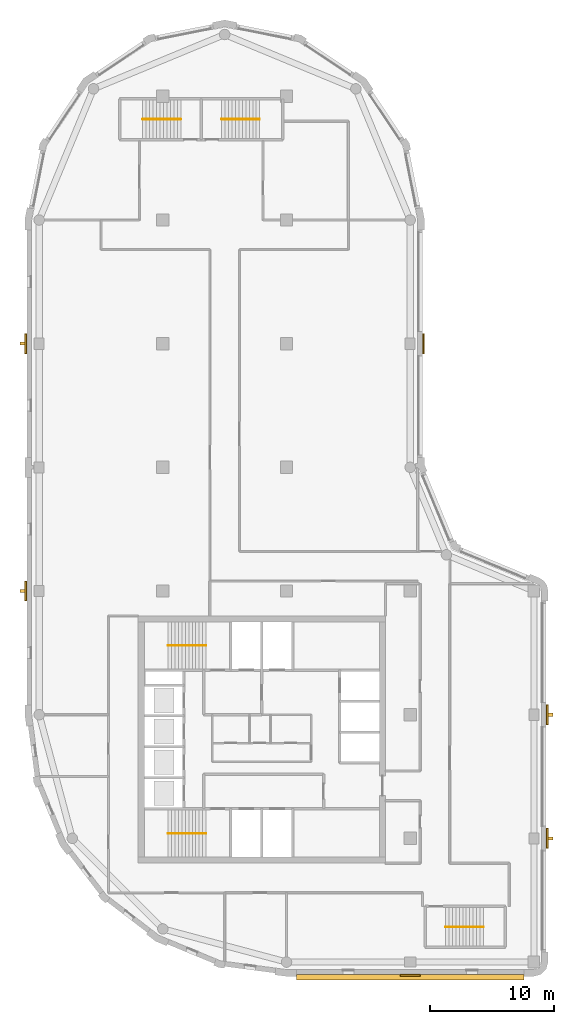
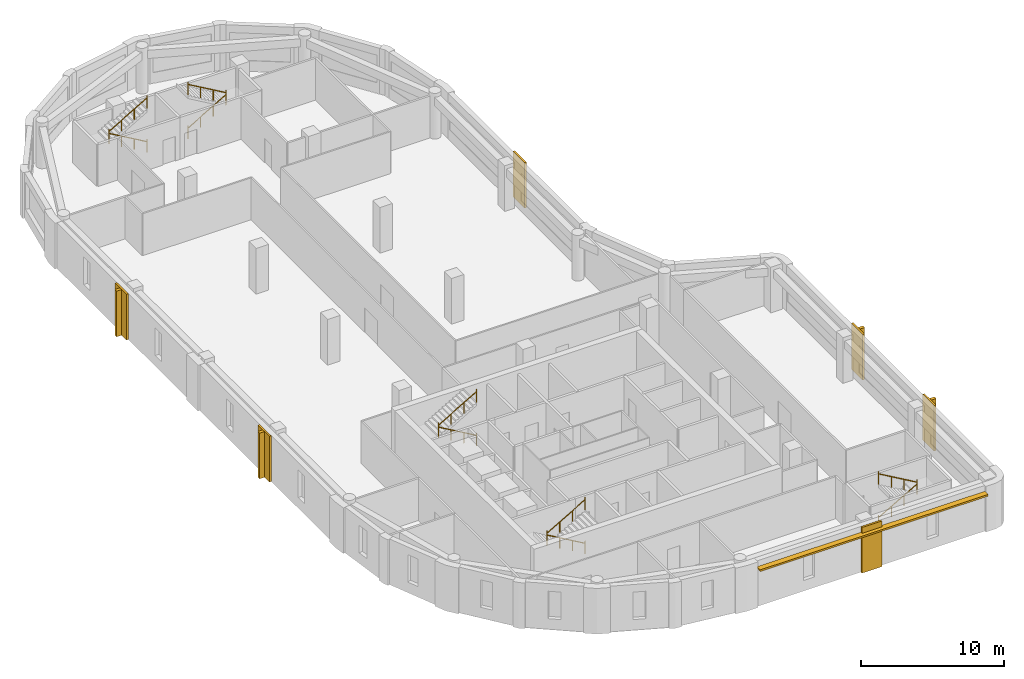
# One storey, part 7 of 8: 10 railings, 6 coverings, 5 shading devices.
"""IFC4 building model written with IfcOpenShell, lengths in metres."""

from ifc_helpers import new_model, si_unit, direction, frame, origin, origin_2d, place, context, subcontext, project, spatial, polyline, rectangle, circle, outline, extrude, material, layer, layer_set, type_object, element, save


model = new_model("IFC4")

# Units and contexts
model_context = context("Model", 3, precision=1e-05, world=origin(), true_north=direction((0.0, 1.0)))
body_context = subcontext(model_context, "Body", "Model", "MODEL_VIEW")
ifc_project = project(units=[si_unit("LENGTHUNIT", "METRE"), si_unit("AREAUNIT", "SQUARE_METRE"), si_unit("VOLUMEUNIT", "CUBIC_METRE"), si_unit("PLANEANGLEUNIT", "RADIAN"), si_unit("MASSUNIT", "GRAM", prefix="KILO")], contexts=[model_context])

# Site, building, storey
site_placement = place(None, origin())
site = spatial("IfcSite", under=ifc_project, at=site_placement, CompositionType="ELEMENT")
building_placement = place(site_placement, origin())
building = spatial("IfcBuilding", under=site, at=building_placement, Name="Qaws Garden Tower", CompositionType="ELEMENT")
storey_placement = place(building_placement, frame((0.0, 0.0, 286.5)))
storey = spatial("IfcBuildingStorey", under=building, at=storey_placement, Name="L69", CompositionType="ELEMENT", Elevation=286.5)

# Coverings
ifc_material_1 = material(Name="Clay facing brick masonry", Category="masonry")
ifc_layer_1 = layer(ifc_material_1, 0.14990234375)
ifc_layer_set_1 = layer_set([ifc_layer_1], Name="Clay facing brick masonry")
covering_type = type_object("IfcCoveringType", Name="Brick pilaster facing 150 x 1600", PredefinedType="CLADDING", material=ifc_layer_set_1)
placement = place(storey_placement, origin())
element("IfcCovering", 1, at=placement, inside=storey, type_object=covering_type, Name="E-L69-pier-01", PredefinedType="CLADDING", context=body_context, shape_type="SweptSolid", body=[
    extrude(outline(polyline([(29.199951171875, -1.0), (30.800048828125, -1.0), (30.800048828125, -1.14990234375), (29.199951171875, -1.14990234375), (29.199951171875, -1.0)])), origin(), (0.0, 0.0, 1.0), 3.89990234375),
])
element("IfcCovering", 2, at=placement, inside=storey, type_object=covering_type, Name="E-L69-pier-03", PredefinedType="CLADDING", context=body_context, shape_type="SweptSolid", body=[
    extrude(outline(polyline([(41.0, 9.199951171875), (41.0, 10.800048828125), (41.14990234375, 10.800048828125), (41.14990234375, 9.199951171875), (41.0, 9.199951171875)])), origin(), (0.0, 0.0, 1.0), 3.89990234375),
])
element("IfcCovering", 3, at=placement, inside=storey, type_object=covering_type, Name="E-L69-pier-04", PredefinedType="CLADDING", context=body_context, shape_type="SweptSolid", body=[
    extrude(outline(polyline([(41.0, 19.199951171875), (41.0, 20.800048828125), (41.14990234375, 20.800048828125), (41.14990234375, 19.199951171875), (41.0, 19.199951171875)])), origin(), (0.0, 0.0, 1.0), 3.89990234375),
])
element("IfcCovering", 4, at=placement, inside=storey, type_object=covering_type, Name="E-L69-pier-08", PredefinedType="CLADDING", context=body_context, shape_type="SweptSolid", body=[
    extrude(outline(polyline([(31.0, 49.199951171875), (31.0, 50.800048828125), (31.14990234375, 50.800048828125), (31.14990234375, 49.199951171875), (31.0, 49.199951171875)])), origin(), (0.0, 0.0, 1.0), 3.89990234375),
])
element("IfcCovering", 5, at=placement, inside=storey, type_object=covering_type, Name="E-L69-pier-18", PredefinedType="CLADDING", context=body_context, shape_type="SweptSolid", body=[
    extrude(outline(polyline([(-1.0, 50.800048828125), (-1.0, 49.199951171875), (-1.14990234375, 49.199951171875), (-1.14990234375, 50.800048828125), (-1.0, 50.800048828125)])), origin(), (0.0, 0.0, 1.0), 3.89990234375),
])
element("IfcCovering", 6, at=placement, inside=storey, type_object=covering_type, Name="E-L69-pier-20", PredefinedType="CLADDING", context=body_context, shape_type="SweptSolid", body=[
    extrude(outline(polyline([(-1.0, 30.800048828125), (-1.0, 29.199951171875), (-1.14990234375, 29.199951171875), (-1.14990234375, 30.800048828125), (-1.0, 30.800048828125)])), origin(), (0.0, 0.0, 1.0), 3.89990234375),
])

# Shading devices
ifc_material_2 = material(Name="Clay facing brick masonry", Category="masonry")
ifc_layer_2 = layer(ifc_material_2, 0.14990234375)
ifc_layer_set_2 = layer_set([ifc_layer_2], Name="Clay facing brick masonry")
shading_device_type_1 = type_object("IfcShadingDeviceType", Name="Brick sunshade band 450 x 150", PredefinedType="JALOUSIE", material=ifc_layer_set_2)
shading_device_placement = place(storey_placement, frame((0.0, 0.0, 3.25)))
element("IfcShadingDevice", 7, at=shading_device_placement, inside=storey, type_object=shading_device_type_1, Name="SUNSHADE 00", PredefinedType="JALOUSIE", context=body_context, shape_type="SweptSolid", body=[
    extrude(outline(polyline([(20.800048828125, -1.0), (20.800048828125, -1.449951171875), (39.199951171875, -1.449951171875), (39.199951171875, -1.0), (30.800048828125, -1.0), (30.800048828125, -1.14990234375), (29.199951171875, -1.14990234375), (29.199951171875, -1.0), (20.800048828125, -1.0)])), origin(), (0.0, 0.0, 1.0), 0.14990234375),
])
ifc_material_3 = material(Name="Clay facing brick masonry", Category="masonry")
ifc_layer_3 = layer(ifc_material_3, 0.25)
ifc_layer_set_3 = layer_set([ifc_layer_3], Name="Clay facing brick masonry")
shading_device_type_2 = type_object("IfcShadingDeviceType", Name="Brick-faced fin 250 x 400", PredefinedType="USERDEFINED", material=ifc_layer_set_3)
for number, where, z_axis, x_axis, name in (
    (8, (41.35009765625, 10.0, 0.0), (0.0, 0.0, 1.0), (0.0, 1.0, 0.0), "FIN 03"),
    (9, (41.35009765625, 20.0, 0.0), (0.0, 0.0, 1.0), (0.0, 1.0, 0.0), "FIN 04"),
    (10, (-1.35009765625, 50.0, 0.0), (0.0, 0.0, 1.0), (0.0, -1.0, 0.0), "FIN 18"),
    (11, (-1.35009765625, 30.0, 0.0), (0.0, 0.0, 1.0), (0.0, -1.0, 0.0), "FIN 20"),
):
    element("IfcShadingDevice", number, at=place(storey_placement, frame(where, z_axis=z_axis, x_axis=x_axis)), inside=storey, type_object=shading_device_type_2, Name=name, ObjectType="FIN", PredefinedType="USERDEFINED", context=body_context, shape_type="SweptSolid", body=[
        extrude(rectangle(XDim=0.25, YDim=0.39990234375, at=origin_2d()), origin(), (0.0, 0.0, 1.0), 3.89990234375),
    ])

# Railings
ifc_material_4 = material(Name="Steel S355", Category="steel")
railing_type = type_object("IfcRailingType", Name="Stair handrail 900", PredefinedType="HANDRAIL", material=ifc_material_4)
railing_1_placement = place(storey_placement, frame((13.5, 10.39990234375, 0.16259765625)))
element("IfcRailing", 12, at=railing_1_placement, inside=storey, type_object=railing_type, Name="Stair 1 handrail", PredefinedType="HANDRAIL", context=body_context, shape_type="SweptSolid", body=[
    extrude(circle(Radius=0.02392578125, at=origin_2d()), frame((0.0, 0.0, 0.8759765625), z_axis=(-0.864920483161, 0.0, 0.501908913857), x_axis=(0.0, -1.0, 0.0)), (0.0, 0.0, 1.0), 3.56103515625),
    extrude(circle(Radius=0.02099609375, at=origin_2d()), origin(), (0.0, 0.0, 1.0), 1.06201171875),
    extrude(circle(Radius=0.02099609375, at=origin_2d()), frame((-1.026611328125, 0.0, 0.595703125)), (0.0, 0.0, 1.0), 0.851806640625),
    extrude(circle(Radius=0.02099609375, at=origin_2d()), frame((-2.053466796875, 0.0, 1.191650390625)), (0.0, 0.0, 1.0), 0.851806640625),
    extrude(circle(Radius=0.02099609375, at=origin_2d()), frame((-3.080078125, 0.0, 1.787353515625)), (0.0, 0.0, 1.0), 1.06201171875),
])
railing_2_placement = place(storey_placement, frame((10.419921875, 10.39990234375, 2.112548828125)))
element("IfcRailing", 13, at=railing_2_placement, inside=storey, type_object=railing_type, Name="Stair 1 handrail", PredefinedType="HANDRAIL", context=body_context, shape_type="SweptSolid", body=[
    extrude(circle(Radius=0.02392578125, at=origin_2d()), frame((0.0, 0.0, 0.8759765625), z_axis=(0.864920483161, 0.0, 0.501908913857), x_axis=(0.0, 1.0, 0.0)), (0.0, 0.0, 1.0), 3.56103515625),
    extrude(circle(Radius=0.02099609375, at=origin_2d()), origin(), (0.0, 0.0, 1.0), 1.06201171875),
    extrude(circle(Radius=0.02099609375, at=origin_2d()), frame((1.026611328125, 0.0, 0.595703125)), (0.0, 0.0, 1.0), 0.851806640625),
    extrude(circle(Radius=0.02099609375, at=origin_2d()), frame((2.053466796875, 0.0, 1.191650390625)), (0.0, 0.0, 1.0), 0.851806640625),
    extrude(circle(Radius=0.02099609375, at=origin_2d()), frame((3.080078125, 0.0, 1.787353515625)), (0.0, 0.0, 1.0), 1.06201171875),
])
railing_3_placement = place(storey_placement, frame((13.5, 25.60009765625, 0.16259765625)))
element("IfcRailing", 14, at=railing_3_placement, inside=storey, type_object=railing_type, Name="Stair 4 handrail", PredefinedType="HANDRAIL", context=body_context, shape_type="SweptSolid", body=[
    extrude(circle(Radius=0.02392578125, at=origin_2d()), frame((0.0, 0.0, 0.8759765625), z_axis=(-0.864920483161, 0.0, 0.501908913857), x_axis=(0.0, -1.0, 0.0)), (0.0, 0.0, 1.0), 3.56103515625),
    extrude(circle(Radius=0.02099609375, at=origin_2d()), origin(), (0.0, 0.0, 1.0), 1.06201171875),
    extrude(circle(Radius=0.02099609375, at=origin_2d()), frame((-1.026611328125, 0.0, 0.595703125)), (0.0, 0.0, 1.0), 0.851806640625),
    extrude(circle(Radius=0.02099609375, at=origin_2d()), frame((-2.053466796875, 0.0, 1.191650390625)), (0.0, 0.0, 1.0), 0.851806640625),
    extrude(circle(Radius=0.02099609375, at=origin_2d()), frame((-3.080078125, 0.0, 1.787353515625)), (0.0, 0.0, 1.0), 1.06201171875),
])
railing_4_placement = place(storey_placement, frame((10.419921875, 25.60009765625, 2.112548828125)))
element("IfcRailing", 15, at=railing_4_placement, inside=storey, type_object=railing_type, Name="Stair 4 handrail", PredefinedType="HANDRAIL", context=body_context, shape_type="SweptSolid", body=[
    extrude(circle(Radius=0.02392578125, at=origin_2d()), frame((0.0, 0.0, 0.8759765625), z_axis=(0.864920483161, 0.0, 0.501908913857), x_axis=(0.0, 1.0, 0.0)), (0.0, 0.0, 1.0), 3.56103515625),
    extrude(circle(Radius=0.02099609375, at=origin_2d()), origin(), (0.0, 0.0, 1.0), 1.06201171875),
    extrude(circle(Radius=0.02099609375, at=origin_2d()), frame((1.026611328125, 0.0, 0.595703125)), (0.0, 0.0, 1.0), 0.851806640625),
    extrude(circle(Radius=0.02099609375, at=origin_2d()), frame((2.053466796875, 0.0, 1.191650390625)), (0.0, 0.0, 1.0), 0.851806640625),
    extrude(circle(Radius=0.02099609375, at=origin_2d()), frame((3.080078125, 0.0, 1.787353515625)), (0.0, 0.0, 1.0), 1.06201171875),
])
railing_5_placement = place(storey_placement, frame((32.85009765625, 2.85009765625, 0.16259765625)))
element("IfcRailing", 16, at=railing_5_placement, inside=storey, type_object=railing_type, Name="Stair 5 handrail", PredefinedType="HANDRAIL", context=body_context, shape_type="SweptSolid", body=[
    extrude(circle(Radius=0.02392578125, at=origin_2d()), frame((0.0, 0.0, 0.8759765625), z_axis=(0.864903211148, 0.0, 0.501938676878), x_axis=(0.0, 1.0, 0.0)), (0.0, 0.0, 1.0), 3.560791015625),
    extrude(circle(Radius=0.02099609375, at=origin_2d()), origin(), (0.0, 0.0, 1.0), 1.06201171875),
    extrude(circle(Radius=0.02099609375, at=origin_2d()), frame((1.026611328125, 0.0, 0.595703125)), (0.0, 0.0, 1.0), 0.851806640625),
    extrude(circle(Radius=0.02099609375, at=origin_2d()), frame((2.05322265625, 0.0, 1.191650390625)), (0.0, 0.0, 1.0), 0.851806640625),
    extrude(circle(Radius=0.02099609375, at=origin_2d()), frame((3.079833984375, 0.0, 1.787353515625)), (0.0, 0.0, 1.0), 1.06201171875),
])
for number, where, name in (
    (17, (35.929931640625, 2.85009765625, 2.112548828125), "Stair 5 handrail"),
    (18, (11.449951171875, 68.14990234375, 0.16259765625), "Stair 6 handrail"),
):
    element("IfcRailing", number, at=place(storey_placement, frame(where)), inside=storey, type_object=railing_type, Name=name, PredefinedType="HANDRAIL", context=body_context, shape_type="SweptSolid", body=[
        extrude(circle(Radius=0.02392578125, at=origin_2d()), frame((0.0, 0.0, 0.8759765625), z_axis=(-0.864903211148, 0.0, 0.501938676878), x_axis=(0.0, -1.0, 0.0)), (0.0, 0.0, 1.0), 3.560791015625),
        extrude(circle(Radius=0.02099609375, at=origin_2d()), origin(), (0.0, 0.0, 1.0), 1.06201171875),
        extrude(circle(Radius=0.02099609375, at=origin_2d()), frame((-1.026611328125, 0.0, 0.595703125)), (0.0, 0.0, 1.0), 0.851806640625),
        extrude(circle(Radius=0.02099609375, at=origin_2d()), frame((-2.05322265625, 0.0, 1.191650390625)), (0.0, 0.0, 1.0), 0.851806640625),
        extrude(circle(Radius=0.02099609375, at=origin_2d()), frame((-3.079833984375, 0.0, 1.787353515625)), (0.0, 0.0, 1.0), 1.06201171875),
    ])
railing_6_placement = place(storey_placement, frame((8.3701171875, 68.14990234375, 2.112548828125)))
element("IfcRailing", 19, at=railing_6_placement, inside=storey, type_object=railing_type, Name="Stair 6 handrail", PredefinedType="HANDRAIL", context=body_context, shape_type="SweptSolid", body=[
    extrude(circle(Radius=0.02392578125, at=origin_2d()), frame((0.0, 0.0, 0.8759765625), z_axis=(0.864903211148, 0.0, 0.501938676878), x_axis=(0.0, 1.0, 0.0)), (0.0, 0.0, 1.0), 3.560791015625),
    extrude(circle(Radius=0.02099609375, at=origin_2d()), origin(), (0.0, 0.0, 1.0), 1.06201171875),
    extrude(circle(Radius=0.02099609375, at=origin_2d()), frame((1.026611328125, 0.0, 0.595703125)), (0.0, 0.0, 1.0), 0.851806640625),
    extrude(circle(Radius=0.02099609375, at=origin_2d()), frame((2.05322265625, 0.0, 1.191650390625)), (0.0, 0.0, 1.0), 0.851806640625),
    extrude(circle(Radius=0.02099609375, at=origin_2d()), frame((3.079833984375, 0.0, 1.787353515625)), (0.0, 0.0, 1.0), 1.06201171875),
])
railing_7_placement = place(storey_placement, frame((14.75, 68.14990234375, 0.16259765625)))
element("IfcRailing", 20, at=railing_7_placement, inside=storey, type_object=railing_type, Name="Stair 7 handrail", PredefinedType="HANDRAIL", context=body_context, shape_type="SweptSolid", body=[
    extrude(circle(Radius=0.02392578125, at=origin_2d()), frame((0.0, 0.0, 0.8759765625), z_axis=(0.864920483161, 0.0, 0.501908913857), x_axis=(0.0, 1.0, 0.0)), (0.0, 0.0, 1.0), 3.56103515625),
    extrude(circle(Radius=0.02099609375, at=origin_2d()), origin(), (0.0, 0.0, 1.0), 1.06201171875),
    extrude(circle(Radius=0.02099609375, at=origin_2d()), frame((1.026611328125, 0.0, 0.595703125)), (0.0, 0.0, 1.0), 0.851806640625),
    extrude(circle(Radius=0.02099609375, at=origin_2d()), frame((2.053466796875, 0.0, 1.191650390625)), (0.0, 0.0, 1.0), 0.851806640625),
    extrude(circle(Radius=0.02099609375, at=origin_2d()), frame((3.080078125, 0.0, 1.787353515625)), (0.0, 0.0, 1.0), 1.06201171875),
])
railing_8_placement = place(storey_placement, frame((17.830078125, 68.14990234375, 2.112548828125)))
element("IfcRailing", 21, at=railing_8_placement, inside=storey, type_object=railing_type, Name="Stair 7 handrail", PredefinedType="HANDRAIL", context=body_context, shape_type="SweptSolid", body=[
    extrude(circle(Radius=0.02392578125, at=origin_2d()), frame((0.0, 0.0, 0.8759765625), z_axis=(-0.864920483161, 0.0, 0.501908913857), x_axis=(0.0, -1.0, 0.0)), (0.0, 0.0, 1.0), 3.56103515625),
    extrude(circle(Radius=0.02099609375, at=origin_2d()), origin(), (0.0, 0.0, 1.0), 1.06201171875),
    extrude(circle(Radius=0.02099609375, at=origin_2d()), frame((-1.026611328125, 0.0, 0.595703125)), (0.0, 0.0, 1.0), 0.851806640625),
    extrude(circle(Radius=0.02099609375, at=origin_2d()), frame((-2.053466796875, 0.0, 1.191650390625)), (0.0, 0.0, 1.0), 0.851806640625),
    extrude(circle(Radius=0.02099609375, at=origin_2d()), frame((-3.080078125, 0.0, 1.787353515625)), (0.0, 0.0, 1.0), 1.06201171875),
])

save(model, "model.ifc")
